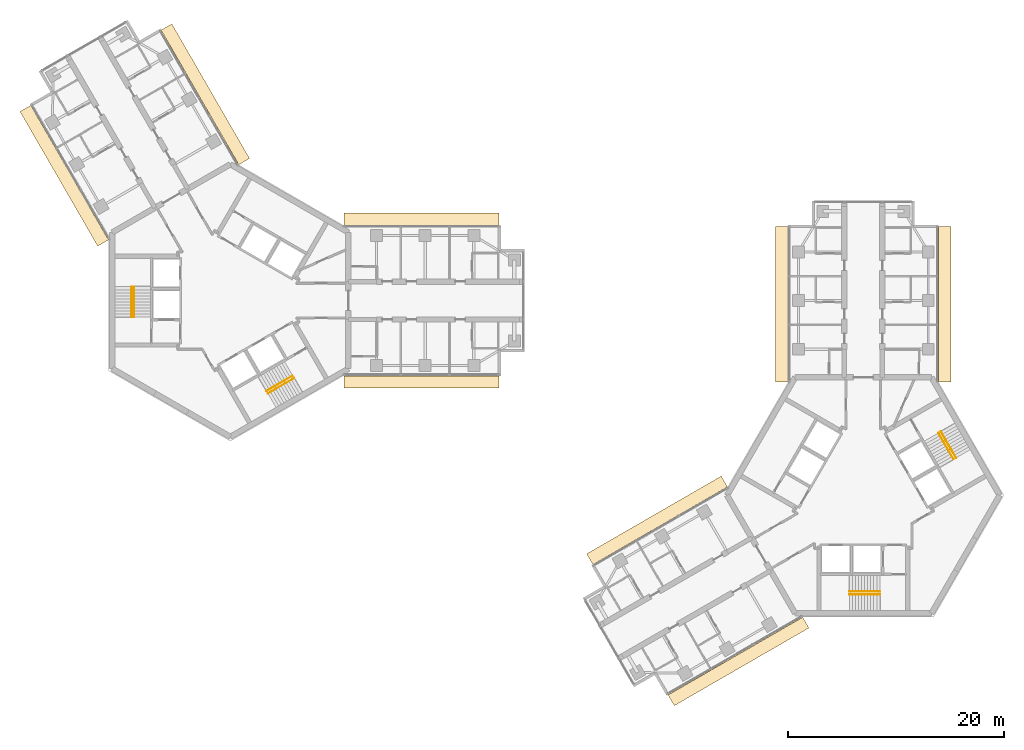
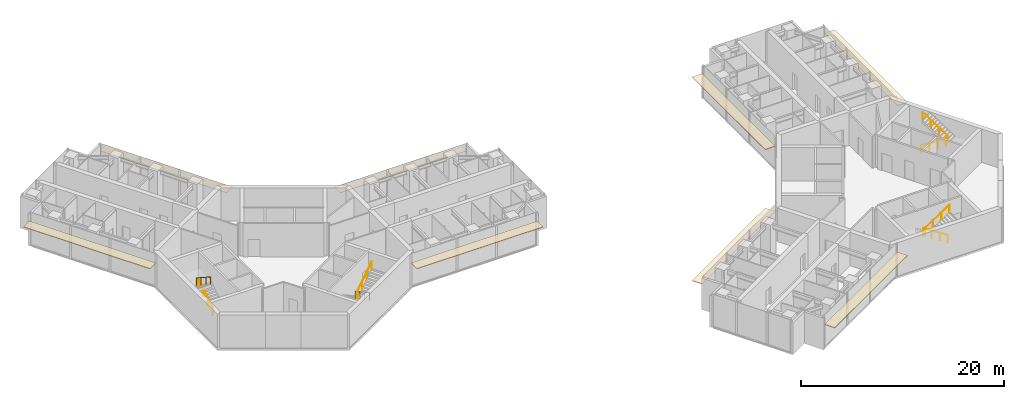
# One storey, part 18 of 18: 8 coverings, 8 railings.
"""IFC4 building model written with IfcOpenShell, lengths in metres."""

import ifcopenshell
import ifcopenshell.guid

model = None  # the IFC model being written
_history = None  # IfcOwnerHistory: only IFC2X3 demands one
_inside = {}  # id of a spatial element -> (the spatial element, [elements in it])
_under = {}  # id of a project, library or spatial element -> (it, [spatial elements below it])
_declared = {}  # id of a project -> (the project, [libraries it declares])
_typed = {}  # id of a type object -> (the type object, [elements of that type])
_made_of = {}  # id of a material, layer set ... -> (it, [elements and type objects made of it])


def new_model(schema):
    """Start an empty IFC model of exactly this schema.

    Asked for "IFC4X3", IfcOpenShell would pick the latest addendum, in which some entities
    have other attributes; the version numbers below select the first issue.
    IFC2X3 requires an IfcOwnerHistory on every rooted entity: one is made here for all.
    """
    global model, _history
    if schema == "IFC4X3":
        model = ifcopenshell.file(schema_version=(4, 3, 0, 0))
    else:
        model = ifcopenshell.file(schema=schema)
    _inside.clear()
    _under.clear()
    _declared.clear()
    _typed.clear()
    _made_of.clear()
    _history = None
    if model.schema == "IFC2X3":
        org = make("IfcOrganization", Name="unknown")
        user = make(
            "IfcPersonAndOrganization",
            ThePerson=make("IfcPerson", FamilyName="unknown"),
            TheOrganization=org,
        )
        app = make(
            "IfcApplication",
            ApplicationDeveloper=org,
            Version="unknown",
            ApplicationFullName="unknown",
            ApplicationIdentifier="unknown",
        )
        _history = make(
            "IfcOwnerHistory",
            OwningUser=user,
            OwningApplication=app,
            ChangeAction="ADDED",
            CreationDate=0,
        )
    return model


def make(cls, **values):
    """One entity of the class cls with the attributes given. An attribute that is None is left unset."""
    return model.create_entity(
        cls, **{name: value for name, value in values.items() if value is not None}
    )


def rooted(cls, **values):
    """An entity with a GlobalId (a new one), such as an element, a storey or a relation."""
    return make(cls, GlobalId=ifcopenshell.guid.new(), OwnerHistory=_history, **values)


def si_unit(unit_type, name, prefix=None):
    """IfcSIUnit, for example si_unit("LENGTHUNIT", "METRE", prefix="MILLI")."""
    return make("IfcSIUnit", UnitType=unit_type, Prefix=prefix, Name=name)


def assignment(units):
    """IfcUnitAssignment: the units of a project."""
    return None if units is None else make("IfcUnitAssignment", Units=units)


def point(xyz):
    """IfcCartesianPoint."""
    return None if xyz is None else make("IfcCartesianPoint", Coordinates=xyz)


def direction(xyz):
    """IfcDirection."""
    return None if xyz is None else make("IfcDirection", DirectionRatios=xyz)


def frame(location, z_axis=None, x_axis=None):
    """IfcAxis2Placement3D, a coordinate frame: its origin and axes. An axis left out is left unset."""
    return make(
        "IfcAxis2Placement3D",
        Location=point(location),
        Axis=direction(z_axis),
        RefDirection=direction(x_axis),
    )


def frame_2d(location, x_axis=None):
    """IfcAxis2Placement2D, a coordinate frame in the plane: its origin and x axis."""
    return make(
        "IfcAxis2Placement2D", Location=point(location), RefDirection=direction(x_axis)
    )


def origin():
    """The frame at (0, 0, 0) with its axes left unset."""
    return frame((0.0, 0.0, 0.0))


def origin_2d():
    """The frame at (0, 0) in the plane with its x axis left unset."""
    return frame_2d((0.0, 0.0))


def place(relative_to, where):
    """IfcLocalPlacement: puts the frame where relative to a parent placement (None: the world)."""
    return make(
        "IfcLocalPlacement", PlacementRelTo=relative_to, RelativePlacement=where
    )


def context(
    kind, dimensions, precision=None, world=None, true_north=None, identifier=None
):
    """IfcGeometricRepresentationContext, for example the 3D "Model" context."""
    return make(
        "IfcGeometricRepresentationContext",
        ContextIdentifier=identifier,
        ContextType=kind,
        CoordinateSpaceDimension=dimensions,
        Precision=precision,
        WorldCoordinateSystem=world,
        TrueNorth=true_north,
    )


def subcontext(parent, identifier, kind, view, scale=None):
    """IfcGeometricRepresentationSubContext, for example "Body" below "Model"."""
    return make(
        "IfcGeometricRepresentationSubContext",
        ContextIdentifier=identifier,
        ContextType=kind,
        ParentContext=parent,
        TargetScale=scale,
        TargetView=view,
    )


def project(units=None, contexts=None):
    """IfcProject with its units and contexts."""
    return rooted(
        "IfcProject",
        Name="project",
        RepresentationContexts=contexts,
        UnitsInContext=assignment(units),
    )


def spatial(cls, under=None, at=None, **own):
    """A site, building, storey or space (cls), placed at a placement, below another one or the project."""
    s = rooted(cls, ObjectPlacement=at, **own)
    if under is not None:
        _under.setdefault(under.id(), (under, []))[1].append(s)
    return s


def profile(cls, at=None, kind="AREA", **sizes):
    """A parametric profile (cls). Its sizes go by their IFC names, for example OverallWidth=200.0."""
    return make(cls, ProfileType=kind, Position=at, **sizes)


def rectangle(**sizes):
    """IfcRectangleProfileDef."""
    return profile("IfcRectangleProfileDef", **sizes)


def circle(**sizes):
    """IfcCircleProfileDef."""
    return profile("IfcCircleProfileDef", **sizes)


def extrude(swept, where, along, depth):
    """IfcExtrudedAreaSolid: the profile swept, set in the frame where, extruded along a direction by depth."""
    return make(
        "IfcExtrudedAreaSolid",
        SweptArea=swept,
        Position=where,
        ExtrudedDirection=direction(along),
        Depth=depth,
    )


def shape(context_of_items, identifier, shape_type, items):
    """IfcShapeRepresentation: the items that make up one representation, for example the "Body"."""
    return make(
        "IfcShapeRepresentation",
        ContextOfItems=context_of_items,
        RepresentationIdentifier=identifier,
        RepresentationType=shape_type,
        Items=items,
    )


def material(Name=None, Category=None):
    """IfcMaterial."""
    return make("IfcMaterial", Name=Name, Category=Category)


def layer(
    of_material, thickness, ventilated=None, Name=None, Category=None, Priority=None
):
    """IfcMaterialLayer: one layer of a wall or slab, of a material (None: an air gap)."""
    return make(
        "IfcMaterialLayer",
        Material=of_material,
        LayerThickness=thickness,
        IsVentilated=ventilated,
        Name=Name,
        Category=Category,
        Priority=Priority,
    )


def layer_set(layers, Name=None):
    """IfcMaterialLayerSet."""
    return make("IfcMaterialLayerSet", MaterialLayers=layers, LayerSetName=Name)


def made_of(thing, what):
    """Note that an element or type object is made of a material, layer set ...; save() writes the relation."""
    if what is not None:
        _made_of.setdefault(what.id(), (what, []))[1].append(thing)
    return thing


def type_object(cls, material=None, **own):
    """A type object (cls), such as IfcWallType, which elements share."""
    return made_of(rooted(cls, **own), material)


def element(
    cls,
    number,
    at=None,
    inside=None,
    cuts=None,
    type_object=None,
    material=None,
    context=None,
    identifier="Body",
    shape_type=None,
    held_by="IfcProductDefinitionShape",
    body=None,
    shapes=None,
    **own,
):
    """One element of the class cls, such as IfcWall. Its Tag is "e" and its number.

    at: its placement. inside: the storey or other place that contains it. cuts: it is an
    opening in that element (IfcRelVoidsElement). A single representation is given by context,
    identifier, shape_type and body (its items); several are given by shapes. held_by: the class
    of the entity that holds the representations. save() writes the other relations.
    """
    e = rooted(cls, Tag="e%d" % number, ObjectPlacement=at, **own)
    if body is not None:
        shapes = [shape(context, identifier, shape_type, body)]
    if shapes is not None:
        e.Representation = make(held_by, Representations=shapes)
    if inside is not None:
        _inside.setdefault(inside.id(), (inside, []))[1].append(e)
    if cuts is not None:
        rooted(
            "IfcRelVoidsElement", RelatingBuildingElement=cuts, RelatedOpeningElement=e
        )
    if type_object is not None:
        _typed.setdefault(type_object.id(), (type_object, []))[1].append(e)
    return made_of(e, material)


def aggregate(whole, parts):
    """IfcRelAggregates: a whole, such as a stair, and the parts it consists of."""
    return rooted("IfcRelAggregates", RelatingObject=whole, RelatedObjects=parts)


def save(model, path):
    """Write the relations noted so far, then the file.

    IfcRelAggregates (storeys below a building ...), IfcRelContainedInSpatialStructure (elements
    in a storey), IfcRelDefinesByType, IfcRelAssociatesMaterial and IfcRelDeclares: one each for
    every whole, place, type object, material and project.
    """
    for whole, parts in _under.values():
        aggregate(whole, parts)
    for where, things in _inside.values():
        rooted(
            "IfcRelContainedInSpatialStructure",
            RelatedElements=things,
            RelatingStructure=where,
        )
    for kind, things in _typed.values():
        rooted("IfcRelDefinesByType", RelatedObjects=things, RelatingType=kind)
    for what, things in _made_of.values():
        rooted("IfcRelAssociatesMaterial", RelatedObjects=things, RelatingMaterial=what)
    for by, libraries in _declared.values():
        rooted("IfcRelDeclares", RelatingContext=by, RelatedDefinitions=libraries)
    model.write(path)


model = new_model("IFC4")

# Units and contexts
model_context = context("Model", 3, precision=1e-05, world=origin(), true_north=direction((0.0, 1.0)))
body_context = subcontext(model_context, "Body", "Model", "MODEL_VIEW")
ifc_project = project(units=[si_unit("LENGTHUNIT", "METRE"), si_unit("AREAUNIT", "SQUARE_METRE"), si_unit("VOLUMEUNIT", "CUBIC_METRE"), si_unit("PLANEANGLEUNIT", "RADIAN"), si_unit("MASSUNIT", "GRAM", prefix="KILO")], contexts=[model_context])

# Site, building, storey
site_placement = place(None, origin())
site = spatial("IfcSite", under=ifc_project, at=site_placement, CompositionType="ELEMENT")
building_placement = place(site_placement, origin())
building = spatial("IfcBuilding", under=site, at=building_placement, Name="Upepo Twin Towers", CompositionType="ELEMENT")
storey_placement = place(building_placement, frame((0.0, 0.0, 226.5)))
storey = spatial("IfcBuildingStorey", under=building, at=storey_placement, Name="L55", CompositionType="ELEMENT", Elevation=226.5)

# Coverings
ifc_material_1 = material(Name="Anodised aluminium, pale silver", Category="aluminium")
ifc_layer = layer(ifc_material_1, 0.080078125)
ifc_layer_set = layer_set([ifc_layer], Name="Brise-soleil blade 1150 pale aluminium")
covering_type = type_object("IfcCoveringType", Name="Brise-soleil blade 1150 pale aluminium", PredefinedType="USERDEFINED", material=ifc_layer_set)
for number, where, z_axis, x_axis, name in (
    (1, (17.66845703125, 7.527587890625, 2.909912109375), (0.0, 0.0, 1.0), (1.0, 0.0, 0.0), "T1 L55 wing A brise-soleil L"),
    (2, (17.66845703125, -7.527587890625, 2.909912109375), (0.0, 0.0, 1.0), (1.0, 0.0, 0.0), "T1 L55 wing A brise-soleil R"),
    (3, (-15.353271484375, 11.53759765625, 2.909912109375), (0.0, 0.0, 1.0), (-0.50000003023, 0.866025386331, 0.0), "T1 L55 wing B brise-soleil L"),
    (4, (-2.315185546875, 19.065185546875, 2.909912109375), (0.0, 0.0, 1.0), (-0.50000003023, 0.866025386331, 0.0), "T1 L55 wing B brise-soleil R"),
    (5, (50.972412109375, -0.33154296875, 2.909912109375), (0.0, 0.0, 1.0), (0.0, 1.0, 0.0), "T2 L55 wing A brise-soleil L"),
    (6, (66.027587890625, -0.33154296875, 2.909912109375), (0.0, 0.0, 1.0), (0.0, 1.0, 0.0), "T2 L55 wing A brise-soleil R"),
    (7, (46.96240234375, -33.353271484375, 2.909912109375), (0.0, 0.0, 1.0), (-0.866025386331, -0.50000003023, 0.0), "T2 L55 wing B brise-soleil L"),
    (8, (39.434814453125, -20.315185546875, 2.909912109375), (0.0, 0.0, 1.0), (-0.866025386331, -0.50000003023, 0.0), "T2 L55 wing B brise-soleil R"),
):
    element("IfcCovering", number, at=place(storey_placement, frame(where, z_axis=z_axis, x_axis=x_axis)), inside=storey, type_object=covering_type, Name=name, ObjectType="SUNSHADE", PredefinedType="USERDEFINED", context=body_context, shape_type="SweptSolid", body=[
        extrude(rectangle(XDim=14.36279296875, YDim=1.14990234375, at=origin_2d()), origin(), (0.0, 0.0, 1.0), 0.080078125),
    ])

# Railings
ifc_material_2 = material(Name="Stainless steel", Category="steel")
railing_type = type_object("IfcRailingType", Name="Stair handrail 900", PredefinedType="HANDRAIL", material=ifc_material_2)
railing_1_placement = place(storey_placement, frame((-8.89990234375, -1.52001953125, 0.181884765625)))
element("IfcRailing", 9, at=railing_1_placement, inside=storey, type_object=railing_type, Name="T1 stair S1 L55 handrail 1", PredefinedType="HANDRAIL", context=body_context, shape_type="SweptSolid", body=[
    extrude(circle(Radius=0.02392578125, at=origin_2d()), frame((0.0, 0.0, 0.8759765625), z_axis=(0.0, 0.838705829183, 0.544584733623), x_axis=(-1.0, 0.0, 0.0)), (0.0, 0.0, 1.0), 3.338623046875),
    extrude(circle(Radius=0.02099609375, at=origin_2d()), origin(), (0.0, 0.0, 1.0), 0.851806640625),
    extrude(circle(Radius=0.02099609375, at=origin_2d()), frame((0.0, 0.933349609375, 0.60595703125)), (0.0, 0.0, 1.0), 0.851806640625),
    extrude(circle(Radius=0.02099609375, at=origin_2d()), frame((0.0, 1.86669921875, 1.212158203125)), (0.0, 0.0, 1.0), 0.851806640625),
    extrude(circle(Radius=0.02099609375, at=origin_2d()), frame((0.0, 2.800048828125, 1.818115234375)), (0.0, 0.0, 1.0), 0.851806640625),
])
railing_2_placement = place(storey_placement, frame((-9.158447265625, 1.280029296875, 2.181884765625)))
element("IfcRailing", 10, at=railing_2_placement, inside=storey, type_object=railing_type, Name="T1 stair S1 L55 handrail 2", PredefinedType="HANDRAIL", context=body_context, shape_type="SweptSolid", body=[
    extrude(circle(Radius=0.02392578125, at=origin_2d()), frame((0.0, 0.0, 0.8759765625), z_axis=(0.0, -0.838705829183, 0.544584733623), x_axis=(1.0, 0.0, 0.0)), (0.0, 0.0, 1.0), 3.338623046875),
    extrude(circle(Radius=0.02099609375, at=origin_2d()), origin(), (0.0, 0.0, 1.0), 0.851806640625),
    extrude(circle(Radius=0.02099609375, at=origin_2d()), frame((0.0, -0.933349609375, 0.60595703125)), (0.0, 0.0, 1.0), 0.851806640625),
    extrude(circle(Radius=0.02099609375, at=origin_2d()), frame((0.0, -1.86669921875, 1.212158203125)), (0.0, 0.0, 1.0), 0.851806640625),
    extrude(circle(Radius=0.02099609375, at=origin_2d()), frame((0.0, -2.800048828125, 1.818115234375)), (0.0, 0.0, 1.0), 0.851806640625),
])
railing_3_placement = place(storey_placement, frame((5.766357421875, -6.947509765625, 0.181884765625)))
element("IfcRailing", 11, at=railing_3_placement, inside=storey, type_object=railing_type, Name="T1 stair S2 L55 handrail 1", PredefinedType="HANDRAIL", context=body_context, shape_type="SweptSolid", body=[
    extrude(circle(Radius=0.02392578125, at=origin_2d()), frame((0.0, 0.0, 0.8759765625), z_axis=(-0.726314030065, -0.419392968428, 0.544589265193), x_axis=(0.500049511043, -0.865996816683, 0.0)), (0.0, 0.0, 1.0), 3.338623046875),
    extrude(circle(Radius=0.02099609375, at=origin_2d()), origin(), (0.0, 0.0, 1.0), 0.851806640625),
    extrude(circle(Radius=0.02099609375, at=origin_2d()), frame((-0.808349609375, -0.466796875, 0.60595703125)), (0.0, 0.0, 1.0), 0.851806640625),
    extrude(circle(Radius=0.02099609375, at=origin_2d()), frame((-1.616455078125, -0.933349609375, 1.212158203125)), (0.0, 0.0, 1.0), 0.851806640625),
    extrude(circle(Radius=0.02099609375, at=origin_2d()), frame((-2.4248046875, -1.400146484375, 1.818115234375)), (0.0, 0.0, 1.0), 0.851806640625),
])
railing_4_placement = place(storey_placement, frame((3.470703125, -8.5712890625, 2.181884765625)))
element("IfcRailing", 12, at=railing_4_placement, inside=storey, type_object=railing_type, Name="T1 stair S2 L55 handrail 2", PredefinedType="HANDRAIL", context=body_context, shape_type="SweptSolid", body=[
    extrude(circle(Radius=0.02392578125, at=origin_2d()), frame((0.0, 0.0, 0.8759765625), z_axis=(0.726336304947, 0.419332699614, 0.544605966869), x_axis=(-0.49998411664, 0.866034573852, 0.0)), (0.0, 0.0, 1.0), 3.33837890625),
    extrude(circle(Radius=0.02099609375, at=origin_2d()), origin(), (0.0, 0.0, 1.0), 0.851806640625),
    extrude(circle(Radius=0.02099609375, at=origin_2d()), frame((0.808349609375, 0.466552734375, 0.60595703125)), (0.0, 0.0, 1.0), 0.851806640625),
    extrude(circle(Radius=0.02099609375, at=origin_2d()), frame((1.616455078125, 0.933349609375, 1.212158203125)), (0.0, 0.0, 1.0), 0.851806640625),
    extrude(circle(Radius=0.02099609375, at=origin_2d()), frame((2.4248046875, 1.39990234375, 1.818115234375)), (0.0, 0.0, 1.0), 0.851806640625),
])
railing_5_placement = place(storey_placement, frame((60.02001953125, -26.89990234375, 0.181884765625)))
element("IfcRailing", 13, at=railing_5_placement, inside=storey, type_object=railing_type, Name="T2 stair S1 L55 handrail 1", PredefinedType="HANDRAIL", context=body_context, shape_type="SweptSolid", body=[
    extrude(circle(Radius=0.02392578125, at=origin_2d()), frame((0.0, 0.0, 0.8759765625), z_axis=(-0.838705829183, 0.0, 0.544584733623), x_axis=(0.0, -1.0, 0.0)), (0.0, 0.0, 1.0), 3.338623046875),
    extrude(circle(Radius=0.02099609375, at=origin_2d()), origin(), (0.0, 0.0, 1.0), 0.851806640625),
    extrude(circle(Radius=0.02099609375, at=origin_2d()), frame((-0.933349609375, 0.0, 0.60595703125)), (0.0, 0.0, 1.0), 0.851806640625),
    extrude(circle(Radius=0.02099609375, at=origin_2d()), frame((-1.86669921875, 0.0, 1.212158203125)), (0.0, 0.0, 1.0), 0.851806640625),
    extrude(circle(Radius=0.02099609375, at=origin_2d()), frame((-2.800048828125, 0.0, 1.818115234375)), (0.0, 0.0, 1.0), 0.851806640625),
])
railing_6_placement = place(storey_placement, frame((57.219970703125, -27.158447265625, 2.181884765625)))
element("IfcRailing", 14, at=railing_6_placement, inside=storey, type_object=railing_type, Name="T2 stair S1 L55 handrail 2", PredefinedType="HANDRAIL", context=body_context, shape_type="SweptSolid", body=[
    extrude(circle(Radius=0.02392578125, at=origin_2d()), frame((0.0, 0.0, 0.8759765625), z_axis=(0.838705829183, 0.0, 0.544584733623), x_axis=(0.0, 1.0, 0.0)), (0.0, 0.0, 1.0), 3.338623046875),
    extrude(circle(Radius=0.02099609375, at=origin_2d()), origin(), (0.0, 0.0, 1.0), 0.851806640625),
    extrude(circle(Radius=0.02099609375, at=origin_2d()), frame((0.933349609375, 0.0, 0.60595703125)), (0.0, 0.0, 1.0), 0.851806640625),
    extrude(circle(Radius=0.02099609375, at=origin_2d()), frame((1.86669921875, 0.0, 1.212158203125)), (0.0, 0.0, 1.0), 0.851806640625),
    extrude(circle(Radius=0.02099609375, at=origin_2d()), frame((2.800048828125, 0.0, 1.818115234375)), (0.0, 0.0, 1.0), 0.851806640625),
])
railing_7_placement = place(storey_placement, frame((65.447509765625, -12.233642578125, 0.181884765625)))
element("IfcRailing", 15, at=railing_7_placement, inside=storey, type_object=railing_type, Name="T2 stair S2 L55 handrail 1", PredefinedType="HANDRAIL", context=body_context, shape_type="SweptSolid", body=[
    extrude(circle(Radius=0.02392578125, at=origin_2d()), frame((0.0, 0.0, 0.8759765625), z_axis=(0.419392968428, -0.726314030065, 0.544589265193), x_axis=(0.865996816683, 0.500049511043, 0.0)), (0.0, 0.0, 1.0), 3.338623046875),
    extrude(circle(Radius=0.02099609375, at=origin_2d()), origin(), (0.0, 0.0, 1.0), 0.851806640625),
    extrude(circle(Radius=0.02099609375, at=origin_2d()), frame((0.466796875, -0.808349609375, 0.60595703125)), (0.0, 0.0, 1.0), 0.851806640625),
    extrude(circle(Radius=0.02099609375, at=origin_2d()), frame((0.933349609375, -1.616455078125, 1.212158203125)), (0.0, 0.0, 1.0), 0.851806640625),
    extrude(circle(Radius=0.02099609375, at=origin_2d()), frame((1.400146484375, -2.4248046875, 1.818115234375)), (0.0, 0.0, 1.0), 0.851806640625),
])
railing_8_placement = place(storey_placement, frame((67.0712890625, -14.529296875, 2.181884765625)))
element("IfcRailing", 16, at=railing_8_placement, inside=storey, type_object=railing_type, Name="T2 stair S2 L55 handrail 2", PredefinedType="HANDRAIL", context=body_context, shape_type="SweptSolid", body=[
    extrude(circle(Radius=0.02392578125, at=origin_2d()), frame((0.0, 0.0, 0.8759765625), z_axis=(-0.419332699614, 0.726336304947, 0.544605966869), x_axis=(-0.866034573852, -0.49998411664, 0.0)), (0.0, 0.0, 1.0), 3.33837890625),
    extrude(circle(Radius=0.02099609375, at=origin_2d()), origin(), (0.0, 0.0, 1.0), 0.851806640625),
    extrude(circle(Radius=0.02099609375, at=origin_2d()), frame((-0.466552734375, 0.808349609375, 0.60595703125)), (0.0, 0.0, 1.0), 0.851806640625),
    extrude(circle(Radius=0.02099609375, at=origin_2d()), frame((-0.933349609375, 1.616455078125, 1.212158203125)), (0.0, 0.0, 1.0), 0.851806640625),
    extrude(circle(Radius=0.02099609375, at=origin_2d()), frame((-1.39990234375, 2.4248046875, 1.818115234375)), (0.0, 0.0, 1.0), 0.851806640625),
])

save(model, "model.ifc")
